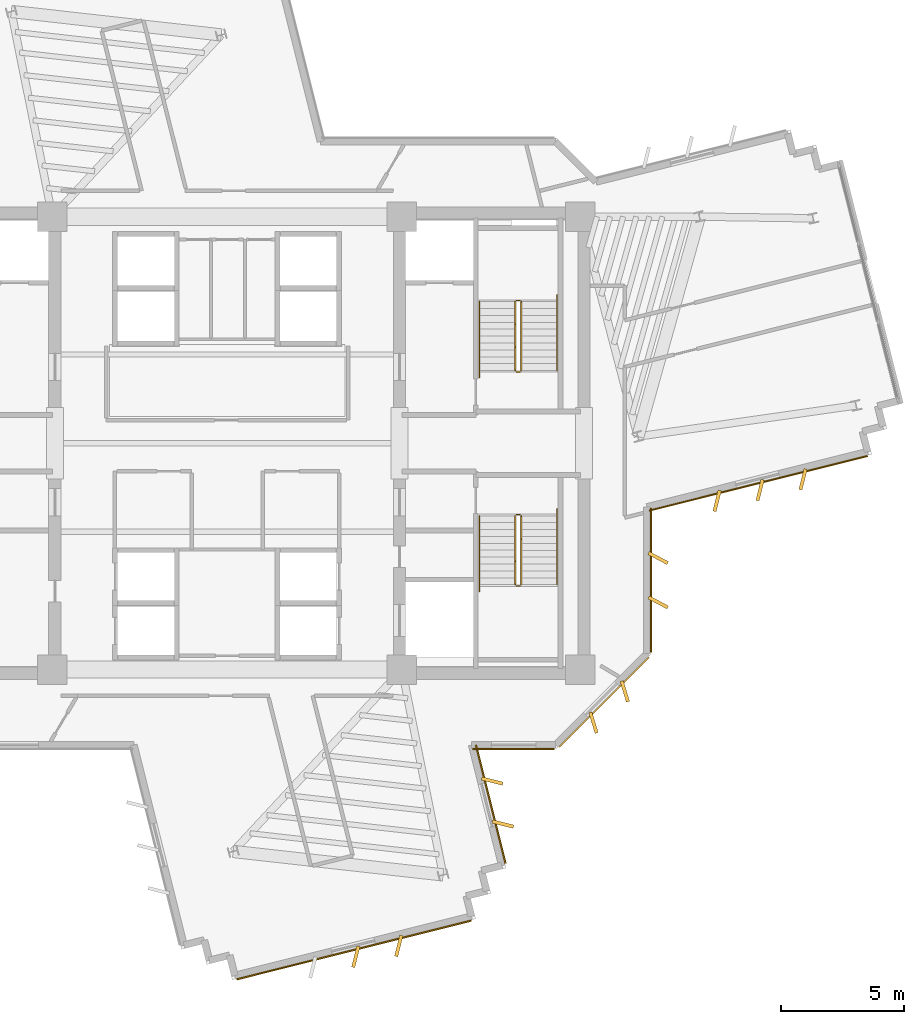
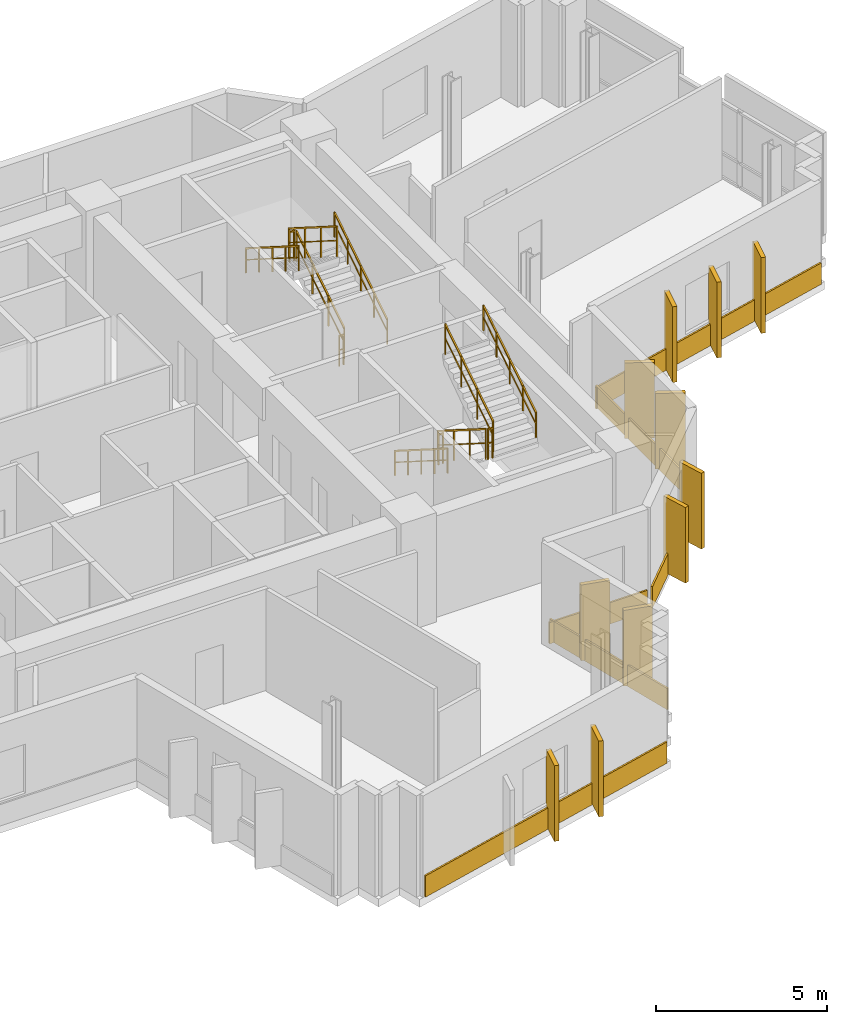
# One storey, part 12 of 13: 17 coverings, 12 railings.
"""IFC4 building model written with IfcOpenShell, lengths in metres."""

import ifcopenshell
import ifcopenshell.guid

model = None  # the IFC model being written
_history = None  # IfcOwnerHistory: only IFC2X3 demands one
_inside = {}  # id of a spatial element -> (the spatial element, [elements in it])
_under = {}  # id of a project, library or spatial element -> (it, [spatial elements below it])
_declared = {}  # id of a project -> (the project, [libraries it declares])
_typed = {}  # id of a type object -> (the type object, [elements of that type])
_made_of = {}  # id of a material, layer set ... -> (it, [elements and type objects made of it])


def new_model(schema):
    """Start an empty IFC model of exactly this schema.

    Asked for "IFC4X3", IfcOpenShell would pick the latest addendum, in which some entities
    have other attributes; the version numbers below select the first issue.
    IFC2X3 requires an IfcOwnerHistory on every rooted entity: one is made here for all.
    """
    global model, _history
    if schema == "IFC4X3":
        model = ifcopenshell.file(schema_version=(4, 3, 0, 0))
    else:
        model = ifcopenshell.file(schema=schema)
    _inside.clear()
    _under.clear()
    _declared.clear()
    _typed.clear()
    _made_of.clear()
    _history = None
    if model.schema == "IFC2X3":
        org = make("IfcOrganization", Name="unknown")
        user = make(
            "IfcPersonAndOrganization",
            ThePerson=make("IfcPerson", FamilyName="unknown"),
            TheOrganization=org,
        )
        app = make(
            "IfcApplication",
            ApplicationDeveloper=org,
            Version="unknown",
            ApplicationFullName="unknown",
            ApplicationIdentifier="unknown",
        )
        _history = make(
            "IfcOwnerHistory",
            OwningUser=user,
            OwningApplication=app,
            ChangeAction="ADDED",
            CreationDate=0,
        )
    return model


def make(cls, **values):
    """One entity of the class cls with the attributes given. An attribute that is None is left unset."""
    return model.create_entity(
        cls, **{name: value for name, value in values.items() if value is not None}
    )


def rooted(cls, **values):
    """An entity with a GlobalId (a new one), such as an element, a storey or a relation."""
    return make(cls, GlobalId=ifcopenshell.guid.new(), OwnerHistory=_history, **values)


def si_unit(unit_type, name, prefix=None):
    """IfcSIUnit, for example si_unit("LENGTHUNIT", "METRE", prefix="MILLI")."""
    return make("IfcSIUnit", UnitType=unit_type, Prefix=prefix, Name=name)


def assignment(units):
    """IfcUnitAssignment: the units of a project."""
    return None if units is None else make("IfcUnitAssignment", Units=units)


def point(xyz):
    """IfcCartesianPoint."""
    return None if xyz is None else make("IfcCartesianPoint", Coordinates=xyz)


def direction(xyz):
    """IfcDirection."""
    return None if xyz is None else make("IfcDirection", DirectionRatios=xyz)


def frame(location, z_axis=None, x_axis=None):
    """IfcAxis2Placement3D, a coordinate frame: its origin and axes. An axis left out is left unset."""
    return make(
        "IfcAxis2Placement3D",
        Location=point(location),
        Axis=direction(z_axis),
        RefDirection=direction(x_axis),
    )


def frame_2d(location, x_axis=None):
    """IfcAxis2Placement2D, a coordinate frame in the plane: its origin and x axis."""
    return make(
        "IfcAxis2Placement2D", Location=point(location), RefDirection=direction(x_axis)
    )


def origin():
    """The frame at (0, 0, 0) with its axes left unset."""
    return frame((0.0, 0.0, 0.0))


def origin_2d():
    """The frame at (0, 0) in the plane with its x axis left unset."""
    return frame_2d((0.0, 0.0))


def place(relative_to, where):
    """IfcLocalPlacement: puts the frame where relative to a parent placement (None: the world)."""
    return make(
        "IfcLocalPlacement", PlacementRelTo=relative_to, RelativePlacement=where
    )


def context(
    kind, dimensions, precision=None, world=None, true_north=None, identifier=None
):
    """IfcGeometricRepresentationContext, for example the 3D "Model" context."""
    return make(
        "IfcGeometricRepresentationContext",
        ContextIdentifier=identifier,
        ContextType=kind,
        CoordinateSpaceDimension=dimensions,
        Precision=precision,
        WorldCoordinateSystem=world,
        TrueNorth=true_north,
    )


def subcontext(parent, identifier, kind, view, scale=None):
    """IfcGeometricRepresentationSubContext, for example "Body" below "Model"."""
    return make(
        "IfcGeometricRepresentationSubContext",
        ContextIdentifier=identifier,
        ContextType=kind,
        ParentContext=parent,
        TargetScale=scale,
        TargetView=view,
    )


def project(units=None, contexts=None):
    """IfcProject with its units and contexts."""
    return rooted(
        "IfcProject",
        Name="project",
        RepresentationContexts=contexts,
        UnitsInContext=assignment(units),
    )


def spatial(cls, under=None, at=None, **own):
    """A site, building, storey or space (cls), placed at a placement, below another one or the project."""
    s = rooted(cls, ObjectPlacement=at, **own)
    if under is not None:
        _under.setdefault(under.id(), (under, []))[1].append(s)
    return s


def profile(cls, at=None, kind="AREA", **sizes):
    """A parametric profile (cls). Its sizes go by their IFC names, for example OverallWidth=200.0."""
    return make(cls, ProfileType=kind, Position=at, **sizes)


def rectangle(**sizes):
    """IfcRectangleProfileDef."""
    return profile("IfcRectangleProfileDef", **sizes)


def extrude(swept, where, along, depth):
    """IfcExtrudedAreaSolid: the profile swept, set in the frame where, extruded along a direction by depth."""
    return make(
        "IfcExtrudedAreaSolid",
        SweptArea=swept,
        Position=where,
        ExtrudedDirection=direction(along),
        Depth=depth,
    )


def shape(context_of_items, identifier, shape_type, items):
    """IfcShapeRepresentation: the items that make up one representation, for example the "Body"."""
    return make(
        "IfcShapeRepresentation",
        ContextOfItems=context_of_items,
        RepresentationIdentifier=identifier,
        RepresentationType=shape_type,
        Items=items,
    )


def source(mapping_origin, context_of_items, identifier, shape_type, items):
    """IfcRepresentationMap: a shape defined once, which mapped items show again and again."""
    return make(
        "IfcRepresentationMap",
        MappingOrigin=mapping_origin,
        MappedRepresentation=shape(context_of_items, identifier, shape_type, items),
    )


def transform(
    local_origin,
    x_axis=None,
    y_axis=None,
    z_axis=None,
    scale=None,
    scale2=None,
    scale3=None,
    uniform=True,
):
    """IfcCartesianTransformationOperator3D, or its non-uniform kind. x_axis, y_axis, z_axis: its Axis1, 2, 3."""
    if uniform:
        return make(
            "IfcCartesianTransformationOperator3D",
            Axis1=direction(x_axis),
            Axis2=direction(y_axis),
            LocalOrigin=point(local_origin),
            Scale=scale,
            Axis3=direction(z_axis),
        )
    return make(
        "IfcCartesianTransformationOperator3DnonUniform",
        Axis1=direction(x_axis),
        Axis2=direction(y_axis),
        LocalOrigin=point(local_origin),
        Scale=scale,
        Axis3=direction(z_axis),
        Scale2=scale2,
        Scale3=scale3,
    )


def mapped(mapping_source, mapping_target):
    """IfcMappedItem: shows the shape of a source again, moved by a transform."""
    return make(
        "IfcMappedItem", MappingSource=mapping_source, MappingTarget=mapping_target
    )


def material(Name=None, Category=None):
    """IfcMaterial."""
    return make("IfcMaterial", Name=Name, Category=Category)


def layer(
    of_material, thickness, ventilated=None, Name=None, Category=None, Priority=None
):
    """IfcMaterialLayer: one layer of a wall or slab, of a material (None: an air gap)."""
    return make(
        "IfcMaterialLayer",
        Material=of_material,
        LayerThickness=thickness,
        IsVentilated=ventilated,
        Name=Name,
        Category=Category,
        Priority=Priority,
    )


def layer_set(layers, Name=None):
    """IfcMaterialLayerSet."""
    return make("IfcMaterialLayerSet", MaterialLayers=layers, LayerSetName=Name)


def made_of(thing, what):
    """Note that an element or type object is made of a material, layer set ...; save() writes the relation."""
    if what is not None:
        _made_of.setdefault(what.id(), (what, []))[1].append(thing)
    return thing


def type_object(cls, material=None, **own):
    """A type object (cls), such as IfcWallType, which elements share."""
    return made_of(rooted(cls, **own), material)


def element(
    cls,
    number,
    at=None,
    inside=None,
    cuts=None,
    type_object=None,
    material=None,
    context=None,
    identifier="Body",
    shape_type=None,
    held_by="IfcProductDefinitionShape",
    body=None,
    shapes=None,
    **own,
):
    """One element of the class cls, such as IfcWall. Its Tag is "e" and its number.

    at: its placement. inside: the storey or other place that contains it. cuts: it is an
    opening in that element (IfcRelVoidsElement). A single representation is given by context,
    identifier, shape_type and body (its items); several are given by shapes. held_by: the class
    of the entity that holds the representations. save() writes the other relations.
    """
    e = rooted(cls, Tag="e%d" % number, ObjectPlacement=at, **own)
    if body is not None:
        shapes = [shape(context, identifier, shape_type, body)]
    if shapes is not None:
        e.Representation = make(held_by, Representations=shapes)
    if inside is not None:
        _inside.setdefault(inside.id(), (inside, []))[1].append(e)
    if cuts is not None:
        rooted(
            "IfcRelVoidsElement", RelatingBuildingElement=cuts, RelatedOpeningElement=e
        )
    if type_object is not None:
        _typed.setdefault(type_object.id(), (type_object, []))[1].append(e)
    return made_of(e, material)


def aggregate(whole, parts):
    """IfcRelAggregates: a whole, such as a stair, and the parts it consists of."""
    return rooted("IfcRelAggregates", RelatingObject=whole, RelatedObjects=parts)


def save(model, path):
    """Write the relations noted so far, then the file.

    IfcRelAggregates (storeys below a building ...), IfcRelContainedInSpatialStructure (elements
    in a storey), IfcRelDefinesByType, IfcRelAssociatesMaterial and IfcRelDeclares: one each for
    every whole, place, type object, material and project.
    """
    for whole, parts in _under.values():
        aggregate(whole, parts)
    for where, things in _inside.values():
        rooted(
            "IfcRelContainedInSpatialStructure",
            RelatedElements=things,
            RelatingStructure=where,
        )
    for kind, things in _typed.values():
        rooted("IfcRelDefinesByType", RelatedObjects=things, RelatingType=kind)
    for what, things in _made_of.values():
        rooted("IfcRelAssociatesMaterial", RelatedObjects=things, RelatingMaterial=what)
    for by, libraries in _declared.values():
        rooted("IfcRelDeclares", RelatingContext=by, RelatedDefinitions=libraries)
    model.write(path)


model = new_model("IFC4")

# Units and contexts
model_context = context("Model", 3, precision=1e-05, world=origin(), true_north=direction((0.0, 1.0)))
body_context = subcontext(model_context, "Body", "Model", "MODEL_VIEW")
ifc_project = project(units=[si_unit("LENGTHUNIT", "METRE"), si_unit("AREAUNIT", "SQUARE_METRE"), si_unit("VOLUMEUNIT", "CUBIC_METRE"), si_unit("PLANEANGLEUNIT", "RADIAN"), si_unit("MASSUNIT", "GRAM", prefix="KILO")], contexts=[model_context])

# Site, building, storey
site_placement = place(None, origin())
site = spatial("IfcSite", under=ifc_project, at=site_placement, CompositionType="ELEMENT")
building_placement = place(site_placement, origin())
building = spatial("IfcBuilding", under=site, at=building_placement, Name="Zahravan Cultural Tower", CompositionType="ELEMENT")
storey_placement = place(building_placement, frame((0.0, 0.0, 190.199951171875)))
storey = spatial("IfcBuildingStorey", under=building, at=storey_placement, Name="L44", CompositionType="ELEMENT", Elevation=190.199951171875)

# Railings
ifc_material_1 = material(Name="Steel ASTM A572 Grade 50", Category="steel")
railing_type_1 = type_object("IfcRailingType", Name="RL-STAIR-GRD1150", PredefinedType="BALUSTRADE", material=ifc_material_1)
railing_1_placement = place(storey_placement, frame((47.949951171875, 29.949951171875, 0.17724609375)))
element("IfcRailing", 1, at=railing_1_placement, inside=storey, type_object=railing_type_1, Name="L44 ST-E1 stair guard 1", PredefinedType="BALUSTRADE", context=body_context, shape_type="SweptSolid", body=[
    extrude(rectangle(XDim=0.05, YDim=0.05, at=origin_2d()), frame((0.0, 0.0, 1.0751953125), z_axis=(0.0, 0.844908973607, 0.534910110503), x_axis=(-1.0, 0.0, 0.0)), (0.0, 0.0, 1.0), 3.31396484375),
    extrude(rectangle(XDim=0.032, YDim=0.032, at=origin_2d()), frame((0.0, 0.0, 0.572021484375), z_axis=(0.0, 0.844908973607, 0.534910110503), x_axis=(-1.0, 0.0, 0.0)), (0.0, 0.0, 1.0), 3.31396484375),
    extrude(rectangle(XDim=0.04, YDim=0.04, at=origin_2d()), origin(), (0.0, 0.0, 1.0), 1.10009765625),
    extrude(rectangle(XDim=0.04, YDim=0.04, at=origin_2d()), frame((0.0, 0.933349609375, 0.5908203125)), (0.0, 0.0, 1.0), 1.10009765625),
    extrude(rectangle(XDim=0.04, YDim=0.04, at=origin_2d()), frame((0.0, 1.86669921875, 1.181884765625)), (0.0, 0.0, 1.0), 1.10009765625),
    extrude(rectangle(XDim=0.04, YDim=0.04, at=origin_2d()), frame((0.0, 2.800048828125, 1.772705078125)), (0.0, 0.0, 1.0), 1.10009765625),
])
railing_2_placement = place(storey_placement, frame((47.89990234375, 32.800048828125, 1.949951171875)))
element("IfcRailing", 2, at=railing_2_placement, inside=storey, type_object=railing_type_1, Name="L44 ST-E1 stair guard 2", PredefinedType="BALUSTRADE", context=body_context, shape_type="SweptSolid", body=[
    extrude(rectangle(XDim=0.05, YDim=0.05, at=origin_2d()), frame((0.0, 0.0, 1.0751953125), z_axis=(-1.0, 0.0, 0.0), x_axis=(0.0, -1.0, 0.0)), (0.0, 0.0, 1.0), 0.14990234375),
    extrude(rectangle(XDim=0.032, YDim=0.032, at=origin_2d()), frame((0.0, 0.0, 0.572021484375), z_axis=(-1.0, 0.0, 0.0), x_axis=(0.0, -1.0, 0.0)), (0.0, 0.0, 1.0), 0.14990234375),
    extrude(rectangle(XDim=0.04, YDim=0.04, at=origin_2d()), origin(), (0.0, 0.0, 1.0), 1.10009765625),
    extrude(rectangle(XDim=0.04, YDim=0.04, at=origin_2d()), frame((-0.14990234375, 0.0, 0.0)), (0.0, 0.0, 1.0), 1.10009765625),
])
railing_3_placement = place(storey_placement, frame((47.699951171875, 32.75, 2.12744140625)))
element("IfcRailing", 3, at=railing_3_placement, inside=storey, type_object=railing_type_1, Name="L44 ST-E1 stair guard 3", PredefinedType="BALUSTRADE", context=body_context, shape_type="SweptSolid", body=[
    extrude(rectangle(XDim=0.05, YDim=0.05, at=origin_2d()), frame((0.0, 0.0, 1.0751953125), z_axis=(0.0, -0.844908973607, 0.534910110503), x_axis=(1.0, 0.0, 0.0)), (0.0, 0.0, 1.0), 3.31396484375),
    extrude(rectangle(XDim=0.032, YDim=0.032, at=origin_2d()), frame((0.0, 0.0, 0.572021484375), z_axis=(0.0, -0.844908973607, 0.534910110503), x_axis=(1.0, 0.0, 0.0)), (0.0, 0.0, 1.0), 3.31396484375),
    extrude(rectangle(XDim=0.04, YDim=0.04, at=origin_2d()), origin(), (0.0, 0.0, 1.0), 1.10009765625),
    extrude(rectangle(XDim=0.04, YDim=0.04, at=origin_2d()), frame((0.0, -0.933349609375, 0.5908203125)), (0.0, 0.0, 1.0), 1.10009765625),
    extrude(rectangle(XDim=0.04, YDim=0.04, at=origin_2d()), frame((0.0, -1.86669921875, 1.181884765625)), (0.0, 0.0, 1.0), 1.10009765625),
    extrude(rectangle(XDim=0.04, YDim=0.04, at=origin_2d()), frame((0.0, -2.800048828125, 1.772705078125)), (0.0, 0.0, 1.0), 1.10009765625),
])
railing_4_placement = place(storey_placement, frame((47.89990234375, 29.89990234375, 0.0)))
element("IfcRailing", 4, at=railing_4_placement, inside=storey, type_object=railing_type_1, Name="L44 ST-E1 stair guard 4", PredefinedType="BALUSTRADE", context=body_context, shape_type="SweptSolid", body=[
    extrude(rectangle(XDim=0.05, YDim=0.05, at=origin_2d()), frame((0.0, 0.0, 1.0751953125), z_axis=(-1.0, 0.0, 0.0), x_axis=(0.0, -1.0, 0.0)), (0.0, 0.0, 1.0), 0.14990234375),
    extrude(rectangle(XDim=0.032, YDim=0.032, at=origin_2d()), frame((0.0, 0.0, 0.572021484375), z_axis=(-1.0, 0.0, 0.0), x_axis=(0.0, -1.0, 0.0)), (0.0, 0.0, 1.0), 0.14990234375),
    extrude(rectangle(XDim=0.04, YDim=0.04, at=origin_2d()), origin(), (0.0, 0.0, 1.0), 1.10009765625),
    extrude(rectangle(XDim=0.04, YDim=0.04, at=origin_2d()), frame((-0.14990234375, 0.0, 0.0)), (0.0, 0.0, 1.0), 1.10009765625),
])
railing_5_placement = place(storey_placement, frame((47.699951171875, 24.050048828125, 0.17724609375)))
element("IfcRailing", 5, at=railing_5_placement, inside=storey, type_object=railing_type_1, Name="L44 ST-E2 stair guard 1", PredefinedType="BALUSTRADE", context=body_context, shape_type="SweptSolid", body=[
    extrude(rectangle(XDim=0.05, YDim=0.05, at=origin_2d()), frame((0.0, 0.0, 1.0751953125), z_axis=(0.0, -0.844908973607, 0.534910110503), x_axis=(1.0, 0.0, 0.0)), (0.0, 0.0, 1.0), 3.31396484375),
    extrude(rectangle(XDim=0.032, YDim=0.032, at=origin_2d()), frame((0.0, 0.0, 0.572021484375), z_axis=(0.0, -0.844908973607, 0.534910110503), x_axis=(1.0, 0.0, 0.0)), (0.0, 0.0, 1.0), 3.31396484375),
    extrude(rectangle(XDim=0.04, YDim=0.04, at=origin_2d()), origin(), (0.0, 0.0, 1.0), 1.10009765625),
    extrude(rectangle(XDim=0.04, YDim=0.04, at=origin_2d()), frame((0.0, -0.933349609375, 0.5908203125)), (0.0, 0.0, 1.0), 1.10009765625),
    extrude(rectangle(XDim=0.04, YDim=0.04, at=origin_2d()), frame((0.0, -1.86669921875, 1.181884765625)), (0.0, 0.0, 1.0), 1.10009765625),
    extrude(rectangle(XDim=0.04, YDim=0.04, at=origin_2d()), frame((0.0, -2.800048828125, 1.772705078125)), (0.0, 0.0, 1.0), 1.10009765625),
])
railing_6_placement = place(storey_placement, frame((47.75, 21.199951171875, 1.949951171875)))
element("IfcRailing", 6, at=railing_6_placement, inside=storey, type_object=railing_type_1, Name="L44 ST-E2 stair guard 2", PredefinedType="BALUSTRADE", context=body_context, shape_type="SweptSolid", body=[
    extrude(rectangle(XDim=0.05, YDim=0.05, at=origin_2d()), frame((0.0, 0.0, 1.0751953125), z_axis=(1.0, 0.0, 0.0), x_axis=(0.0, 1.0, 0.0)), (0.0, 0.0, 1.0), 0.14990234375),
    extrude(rectangle(XDim=0.032, YDim=0.032, at=origin_2d()), frame((0.0, 0.0, 0.572021484375), z_axis=(1.0, 0.0, 0.0), x_axis=(0.0, 1.0, 0.0)), (0.0, 0.0, 1.0), 0.14990234375),
    extrude(rectangle(XDim=0.04, YDim=0.04, at=origin_2d()), origin(), (0.0, 0.0, 1.0), 1.10009765625),
    extrude(rectangle(XDim=0.04, YDim=0.04, at=origin_2d()), frame((0.14990234375, 0.0, 0.0)), (0.0, 0.0, 1.0), 1.10009765625),
])
railing_7_placement = place(storey_placement, frame((47.949951171875, 21.25, 2.12744140625)))
element("IfcRailing", 7, at=railing_7_placement, inside=storey, type_object=railing_type_1, Name="L44 ST-E2 stair guard 3", PredefinedType="BALUSTRADE", context=body_context, shape_type="SweptSolid", body=[
    extrude(rectangle(XDim=0.05, YDim=0.05, at=origin_2d()), frame((0.0, 0.0, 1.0751953125), z_axis=(0.0, 0.844908973607, 0.534910110503), x_axis=(-1.0, 0.0, 0.0)), (0.0, 0.0, 1.0), 3.31396484375),
    extrude(rectangle(XDim=0.032, YDim=0.032, at=origin_2d()), frame((0.0, 0.0, 0.572021484375), z_axis=(0.0, 0.844908973607, 0.534910110503), x_axis=(-1.0, 0.0, 0.0)), (0.0, 0.0, 1.0), 3.31396484375),
    extrude(rectangle(XDim=0.04, YDim=0.04, at=origin_2d()), origin(), (0.0, 0.0, 1.0), 1.10009765625),
    extrude(rectangle(XDim=0.04, YDim=0.04, at=origin_2d()), frame((0.0, 0.933349609375, 0.5908203125)), (0.0, 0.0, 1.0), 1.10009765625),
    extrude(rectangle(XDim=0.04, YDim=0.04, at=origin_2d()), frame((0.0, 1.86669921875, 1.181884765625)), (0.0, 0.0, 1.0), 1.10009765625),
    extrude(rectangle(XDim=0.04, YDim=0.04, at=origin_2d()), frame((0.0, 2.800048828125, 1.772705078125)), (0.0, 0.0, 1.0), 1.10009765625),
])
railing_8_placement = place(storey_placement, frame((47.75, 24.10009765625, 0.0)))
element("IfcRailing", 8, at=railing_8_placement, inside=storey, type_object=railing_type_1, Name="L44 ST-E2 stair guard 4", PredefinedType="BALUSTRADE", context=body_context, shape_type="SweptSolid", body=[
    extrude(rectangle(XDim=0.05, YDim=0.05, at=origin_2d()), frame((0.0, 0.0, 1.0751953125), z_axis=(1.0, 0.0, 0.0), x_axis=(0.0, 1.0, 0.0)), (0.0, 0.0, 1.0), 0.14990234375),
    extrude(rectangle(XDim=0.032, YDim=0.032, at=origin_2d()), frame((0.0, 0.0, 0.572021484375), z_axis=(1.0, 0.0, 0.0), x_axis=(0.0, 1.0, 0.0)), (0.0, 0.0, 1.0), 0.14990234375),
    extrude(rectangle(XDim=0.04, YDim=0.04, at=origin_2d()), origin(), (0.0, 0.0, 1.0), 1.10009765625),
    extrude(rectangle(XDim=0.04, YDim=0.04, at=origin_2d()), frame((0.14990234375, 0.0, 0.0)), (0.0, 0.0, 1.0), 1.10009765625),
])
railing_type_2 = type_object("IfcRailingType", Name="RL-STAIR-HR900", PredefinedType="HANDRAIL", material=ifc_material_1)
railing_9_placement = place(storey_placement, frame((49.39990234375, 29.949951171875, 0.17724609375)))
element("IfcRailing", 9, at=railing_9_placement, inside=storey, type_object=railing_type_2, Name="L44 ST-E1 stair handrail 1", PredefinedType="HANDRAIL", context=body_context, shape_type="SweptSolid", body=[
    extrude(rectangle(XDim=0.05, YDim=0.05, at=origin_2d()), frame((0.0, 0.0, 0.875), z_axis=(0.0, 0.844883648757, 0.534950109882), x_axis=(-1.0, 0.0, 0.0)), (0.0, 0.0, 1.0), 3.6455078125),
    extrude(rectangle(XDim=0.032, YDim=0.032, at=origin_2d()), frame((0.0, 0.0, 0.468017578125), z_axis=(0.0, 0.844883648757, 0.534950109882), x_axis=(-1.0, 0.0, 0.0)), (0.0, 0.0, 1.0), 3.6455078125),
    extrude(rectangle(XDim=0.04, YDim=0.04, at=origin_2d()), origin(), (0.0, 0.0, 1.0), 0.89990234375),
    extrude(rectangle(XDim=0.04, YDim=0.04, at=origin_2d()), frame((0.0, 0.77001953125, 0.487548828125)), (0.0, 0.0, 1.0), 0.89990234375),
    extrude(rectangle(XDim=0.04, YDim=0.04, at=origin_2d()), frame((0.0, 1.5400390625, 0.97509765625)), (0.0, 0.0, 1.0), 0.89990234375),
    extrude(rectangle(XDim=0.04, YDim=0.04, at=origin_2d()), frame((0.0, 2.31005859375, 1.462646484375)), (0.0, 0.0, 1.0), 0.89990234375),
    extrude(rectangle(XDim=0.04, YDim=0.04, at=origin_2d()), frame((0.0, 3.080078125, 1.9501953125)), (0.0, 0.0, 1.0), 0.89990234375),
])
railing_10_placement = place(storey_placement, frame((46.25, 32.75, 2.12744140625)))
element("IfcRailing", 10, at=railing_10_placement, inside=storey, type_object=railing_type_2, Name="L44 ST-E1 stair handrail 2", PredefinedType="HANDRAIL", context=body_context, shape_type="SweptSolid", body=[
    extrude(rectangle(XDim=0.05, YDim=0.05, at=origin_2d()), frame((0.0, 0.0, 0.875), z_axis=(0.0, -0.844913916606, 0.534902302785), x_axis=(1.0, 0.0, 0.0)), (0.0, 0.0, 1.0), 3.6455078125),
    extrude(rectangle(XDim=0.032, YDim=0.032, at=origin_2d()), frame((0.0, 0.0, 0.468017578125), z_axis=(0.0, -0.844913916606, 0.534902302785), x_axis=(1.0, 0.0, 0.0)), (0.0, 0.0, 1.0), 3.6455078125),
    extrude(rectangle(XDim=0.04, YDim=0.04, at=origin_2d()), origin(), (0.0, 0.0, 1.0), 0.89990234375),
    extrude(rectangle(XDim=0.04, YDim=0.04, at=origin_2d()), frame((0.0, -0.77001953125, 0.487548828125)), (0.0, 0.0, 1.0), 0.89990234375),
    extrude(rectangle(XDim=0.04, YDim=0.04, at=origin_2d()), frame((0.0, -1.5400390625, 0.97509765625)), (0.0, 0.0, 1.0), 0.89990234375),
    extrude(rectangle(XDim=0.04, YDim=0.04, at=origin_2d()), frame((0.0, -2.31005859375, 1.46240234375)), (0.0, 0.0, 1.0), 0.89990234375),
    extrude(rectangle(XDim=0.04, YDim=0.04, at=origin_2d()), frame((0.0, -3.080078125, 1.949951171875)), (0.0, 0.0, 1.0), 0.89990234375),
])
railing_11_placement = place(storey_placement, frame((46.25, 24.050048828125, 0.17724609375)))
element("IfcRailing", 11, at=railing_11_placement, inside=storey, type_object=railing_type_2, Name="L44 ST-E2 stair handrail 1", PredefinedType="HANDRAIL", context=body_context, shape_type="SweptSolid", body=[
    extrude(rectangle(XDim=0.05, YDim=0.05, at=origin_2d()), frame((0.0, 0.0, 0.875), z_axis=(0.0, -0.844883648757, 0.534950109882), x_axis=(1.0, 0.0, 0.0)), (0.0, 0.0, 1.0), 3.6455078125),
    extrude(rectangle(XDim=0.032, YDim=0.032, at=origin_2d()), frame((0.0, 0.0, 0.468017578125), z_axis=(0.0, -0.844883648757, 0.534950109882), x_axis=(1.0, 0.0, 0.0)), (0.0, 0.0, 1.0), 3.6455078125),
    extrude(rectangle(XDim=0.04, YDim=0.04, at=origin_2d()), origin(), (0.0, 0.0, 1.0), 0.89990234375),
    extrude(rectangle(XDim=0.04, YDim=0.04, at=origin_2d()), frame((0.0, -0.77001953125, 0.487548828125)), (0.0, 0.0, 1.0), 0.89990234375),
    extrude(rectangle(XDim=0.04, YDim=0.04, at=origin_2d()), frame((0.0, -1.5400390625, 0.97509765625)), (0.0, 0.0, 1.0), 0.89990234375),
    extrude(rectangle(XDim=0.04, YDim=0.04, at=origin_2d()), frame((0.0, -2.31005859375, 1.462646484375)), (0.0, 0.0, 1.0), 0.89990234375),
    extrude(rectangle(XDim=0.04, YDim=0.04, at=origin_2d()), frame((0.0, -3.080078125, 1.9501953125)), (0.0, 0.0, 1.0), 0.89990234375),
])
railing_12_placement = place(storey_placement, frame((49.39990234375, 21.25, 2.12744140625)))
element("IfcRailing", 12, at=railing_12_placement, inside=storey, type_object=railing_type_2, Name="L44 ST-E2 stair handrail 2", PredefinedType="HANDRAIL", context=body_context, shape_type="SweptSolid", body=[
    extrude(rectangle(XDim=0.05, YDim=0.05, at=origin_2d()), frame((0.0, 0.0, 0.875), z_axis=(0.0, 0.844913916606, 0.534902302785), x_axis=(-1.0, 0.0, 0.0)), (0.0, 0.0, 1.0), 3.6455078125),
    extrude(rectangle(XDim=0.032, YDim=0.032, at=origin_2d()), frame((0.0, 0.0, 0.468017578125), z_axis=(0.0, 0.844913916606, 0.534902302785), x_axis=(-1.0, 0.0, 0.0)), (0.0, 0.0, 1.0), 3.6455078125),
    extrude(rectangle(XDim=0.04, YDim=0.04, at=origin_2d()), origin(), (0.0, 0.0, 1.0), 0.89990234375),
    extrude(rectangle(XDim=0.04, YDim=0.04, at=origin_2d()), frame((0.0, 0.77001953125, 0.487548828125)), (0.0, 0.0, 1.0), 0.89990234375),
    extrude(rectangle(XDim=0.04, YDim=0.04, at=origin_2d()), frame((0.0, 1.5400390625, 0.97509765625)), (0.0, 0.0, 1.0), 0.89990234375),
    extrude(rectangle(XDim=0.04, YDim=0.04, at=origin_2d()), frame((0.0, 2.31005859375, 1.46240234375)), (0.0, 0.0, 1.0), 0.89990234375),
    extrude(rectangle(XDim=0.04, YDim=0.04, at=origin_2d()), frame((0.0, 3.080078125, 1.949951171875)), (0.0, 0.0, 1.0), 0.89990234375),
])

# Coverings
ifc_material_2 = material(Name="Terracotta ceramic cladding", Category="masonry")
ifc_layer = layer(ifc_material_2, 0.06005859375)
ifc_layer_set = layer_set([ifc_layer], Name="Terracotta ceramic cladding")
covering_type = type_object("IfcCoveringType", Name="COV-CLAD-TC60", PredefinedType="CLADDING", material=ifc_layer_set)
shared_shape_1 = source(origin(), body_context, "Body", "SweptSolid", [
    extrude(rectangle(XDim=9.820068359375, YDim=0.06005859375, at=origin_2d()), origin(), (0.0, 0.0, 1.0), 0.760009765625),
])
covering_1_placement = place(storey_placement, frame((41.156494140625, 6.410888671875, 0.02001953125), z_axis=(0.0, 0.0, 1.0), x_axis=(-0.970041854282, -0.242937854074, 0.0)))
element("IfcCovering", 13, at=covering_1_placement, inside=storey, type_object=covering_type, Name="L44 Terracotta Spandrel Cladding 19", PredefinedType="CLADDING", context=body_context, shape_type="MappedRepresentation", body=[
    mapped(shared_shape_1, transform((0.0, 0.0, 0.0), x_axis=(1.0, 0.0, 0.0), y_axis=(0.0, 1.0, 0.0), z_axis=(0.0, 0.0, 1.0), scale=1.0)),
])
shared_shape_2 = source(origin(), body_context, "Body", "SweptSolid", [
    extrude(rectangle(XDim=5.157958984375, YDim=0.06005859375, at=origin_2d()), origin(), (0.0, 0.0, 1.0), 0.760009765625),
])
covering_2_placement = place(storey_placement, frame((51.317626953125, 16.482421875, 0.02001953125), z_axis=(0.0, 0.0, 1.0), x_axis=(-0.707106781187, -0.707106781187, 0.0)))
element("IfcCovering", 14, at=covering_2_placement, inside=storey, type_object=covering_type, Name="L44 Terracotta Spandrel Cladding 12", PredefinedType="CLADDING", context=body_context, shape_type="MappedRepresentation", body=[
    mapped(shared_shape_2, transform((0.0, 0.0, 0.0), x_axis=(1.0, 0.0, 0.0), y_axis=(0.0, 1.0, 0.0), z_axis=(0.0, 0.0, 1.0), scale=1.0)),
])
shared_shape_3 = source(origin(), body_context, "Body", "SweptSolid", [
    extrude(rectangle(XDim=0.8798828125, YDim=0.139892578125, at=origin_2d()), origin(), (0.0, 0.0, 1.0), 2.699951171875),
])
for number, where, z_axis, x_axis, name in (
    (15, (59.3974609375, 25.530029296875, 0.05029296875), (0.0, 0.0, 1.0), (-0.240922611059, -0.970544329477, 0.0), "L44 Herringbone Terracotta Fin 04"),
    (16, (57.6513671875, 25.0927734375, 0.05029296875), (0.0, 0.0, 1.0), (-0.240922611059, -0.970544329477, 0.0), "L44 Herringbone Terracotta Fin 05"),
    (17, (55.9052734375, 24.655517578125, 0.05029296875), (0.0, 0.0, 1.0), (-0.240922611059, -0.970544329477, 0.0), "L44 Herringbone Terracotta Fin 06"),
    (18, (53.510009765625, 22.33251953125, 0.05029296875), (0.0, 0.0, 1.0), (0.882947592859, -0.469471562786, 0.0), "L44 Herringbone Terracotta Fin 07"),
    (19, (53.510009765625, 20.532470703125, 0.05029296875), (0.0, 0.0, 1.0), (0.882947592859, -0.469471562786, 0.0), "L44 Herringbone Terracotta Fin 08"),
    (20, (52.155517578125, 16.917236328125, 0.05029296875), (0.0, 0.0, 1.0), (0.292371704723, -0.956304755963, 0.0), "L44 Herringbone Terracotta Fin 09"),
    (21, (50.8828125, 15.644287109375, 0.05029296875), (0.0, 0.0, 1.0), (0.292371704723, -0.956304755963, 0.0), "L44 Herringbone Terracotta Fin 10"),
    (22, (46.767822265625, 13.271484375, 0.05029296875), (0.0, 0.0, 1.0), (0.970548534222, -0.240905671828, 0.0), "L44 Herringbone Terracotta Fin 11"),
    (23, (47.205078125, 11.525390625, 0.05029296875), (0.0, 0.0, 1.0), (0.970548534222, -0.240905671828, 0.0), "L44 Herringbone Terracotta Fin 12"),
    (24, (42.9716796875, 6.57177734375, 0.05029296875), (0.0, 0.0, 1.0), (-0.240905671828, -0.970548534222, 0.0), "L44 Herringbone Terracotta Fin 13"),
    (25, (41.2255859375, 6.134521484375, 0.05029296875), (0.0, 0.0, 1.0), (-0.240905671828, -0.970548534222, 0.0), "L44 Herringbone Terracotta Fin 14"),
):
    element("IfcCovering", number, at=place(storey_placement, frame(where, z_axis=z_axis, x_axis=x_axis)), inside=storey, type_object=covering_type, Name=name, PredefinedType="CLADDING", context=body_context, shape_type="MappedRepresentation", body=[
        mapped(shared_shape_3, transform((0.0, 0.0, 0.0), x_axis=(1.0, 0.0, 0.0), y_axis=(0.0, 1.0, 0.0), z_axis=(0.0, 0.0, 1.0), scale=1.0)),
    ])
shared_shape_4 = source(origin(), body_context, "Body", "SweptSolid", [
    extrude(rectangle(XDim=9.14111328125, YDim=0.06005859375, at=origin_2d()), origin(), (0.0, 0.0, 1.0), 0.760009765625),
])
covering_3_placement = place(storey_placement, frame((57.582275390625, 25.369384765625, 0.02001953125), z_axis=(0.0, 0.0, 1.0), x_axis=(-0.970046094199, -0.242920923613, 0.0)))
element("IfcCovering", 26, at=covering_3_placement, inside=storey, type_object=covering_type, Name="L44 Terracotta Spandrel Cladding 10", PredefinedType="CLADDING", context=body_context, shape_type="MappedRepresentation", body=[
    mapped(shared_shape_4, transform((0.0, 0.0, 0.0), x_axis=(1.0, 0.0, 0.0), y_axis=(0.0, 1.0, 0.0), z_axis=(0.0, 0.0, 1.0), scale=1.0)),
])
shared_shape_5 = source(origin(), body_context, "Body", "SweptSolid", [
    extrude(rectangle(XDim=5.848876953125, YDim=0.06005859375, at=origin_2d()), origin(), (0.0, 0.0, 1.0), 0.760009765625),
])
covering_4_placement = place(storey_placement, frame((53.22509765625, 21.432373046875, 0.02001953125), z_axis=(0.0, 0.0, 1.0), x_axis=(0.0, -1.0, 0.0)))
element("IfcCovering", 27, at=covering_4_placement, inside=storey, type_object=covering_type, Name="L44 Terracotta Spandrel Cladding 11", PredefinedType="CLADDING", context=body_context, shape_type="MappedRepresentation", body=[
    mapped(shared_shape_5, transform((0.0, 0.0, 0.0), x_axis=(1.0, 0.0, 0.0), y_axis=(0.0, 1.0, 0.0), z_axis=(0.0, 0.0, 1.0), scale=1.0)),
])
shared_shape_6 = source(origin(), body_context, "Body", "SweptSolid", [
    extrude(rectangle(XDim=3.305908203125, YDim=0.06005859375, at=origin_2d()), origin(), (0.0, 0.0, 1.0), 0.760009765625),
])
covering_5_placement = place(storey_placement, frame((47.638916015625, 14.574951171875, 0.02001953125), z_axis=(0.0, 0.0, 1.0), x_axis=(-1.0, 0.0, 0.0)))
element("IfcCovering", 28, at=covering_5_placement, inside=storey, type_object=covering_type, Name="L44 Terracotta Spandrel Cladding 13", PredefinedType="CLADDING", context=body_context, shape_type="MappedRepresentation", body=[
    mapped(shared_shape_6, transform((0.0, 0.0, 0.0), x_axis=(1.0, 0.0, 0.0), y_axis=(0.0, 1.0, 0.0), z_axis=(0.0, 0.0, 1.0), scale=1.0)),
])
shared_shape_7 = source(origin(), body_context, "Body", "SweptSolid", [
    extrude(rectangle(XDim=4.953369140625, YDim=0.06005859375, at=origin_2d()), origin(), (0.0, 0.0, 1.0), 0.760009765625),
])
covering_6_placement = place(storey_placement, frame((46.7099609375, 12.3291015625, 0.02001953125), z_axis=(0.0, 0.0, 1.0), x_axis=(0.242937854074, -0.970041854282, 0.0)))
element("IfcCovering", 29, at=covering_6_placement, inside=storey, type_object=covering_type, Name="L44 Terracotta Spandrel Cladding 14", PredefinedType="CLADDING", context=body_context, shape_type="MappedRepresentation", body=[
    mapped(shared_shape_7, transform((0.0, 0.0, 0.0), x_axis=(1.0, 0.0, 0.0), y_axis=(0.0, 1.0, 0.0), z_axis=(0.0, 0.0, 1.0), scale=1.0)),
])

save(model, "model.ifc")
